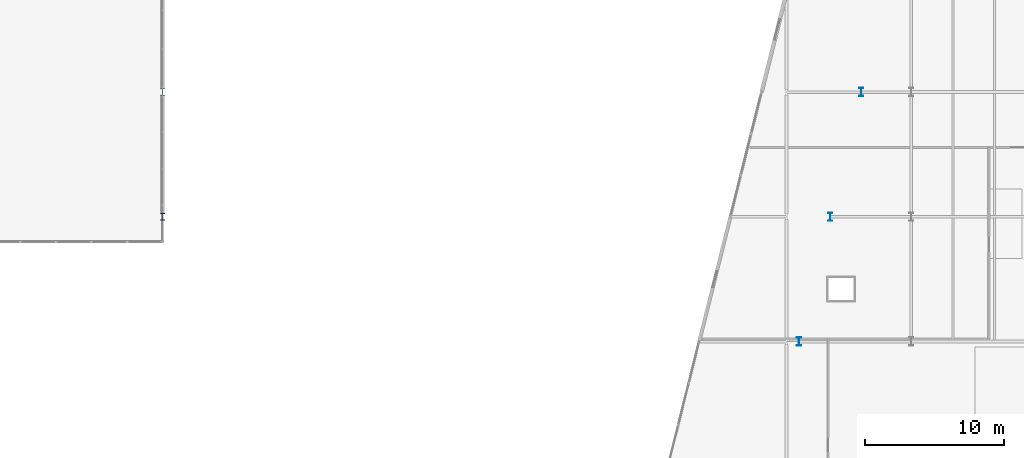
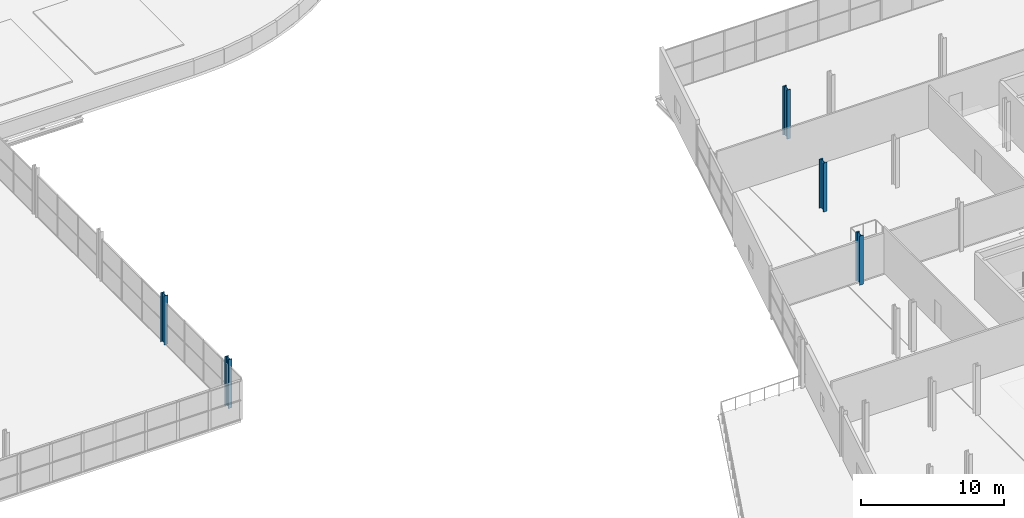
# One storey, part 3 of 59: 5 columns.
"""IFC4 building model written with IfcOpenShell, lengths in metres."""

from ifc_helpers import new_model, si_unit, direction, frame, origin, origin_2d, place, context, subcontext, project, spatial, i_section, extrude, material, material_profile, profile_set, type_object, element, save


model = new_model("IFC4")

# Units and contexts
model_context = context("Model", 3, precision=1e-05, world=origin(), true_north=direction((0.0, 1.0)))
body_context = subcontext(model_context, "Body", "Model", "MODEL_VIEW")
ifc_project = project(units=[si_unit("LENGTHUNIT", "METRE"), si_unit("AREAUNIT", "SQUARE_METRE"), si_unit("VOLUMEUNIT", "CUBIC_METRE"), si_unit("PLANEANGLEUNIT", "RADIAN"), si_unit("MASSUNIT", "GRAM", prefix="KILO")], contexts=[model_context])

# Site, building, storey
site_placement = place(None, origin())
site = spatial("IfcSite", under=ifc_project, at=site_placement, CompositionType="ELEMENT")
building_placement = place(site_placement, origin())
building = spatial("IfcBuilding", under=site, at=building_placement, Name="Deido Ridge Mobility Hub", CompositionType="ELEMENT")
storey_placement = place(building_placement, frame((0.0, 0.0, 21.0)))
storey = spatial("IfcBuildingStorey", under=building, at=storey_placement, Name="L05", CompositionType="ELEMENT", Elevation=21.0)

# Columns
ifc_material = material(Name="Steel S355J2 EN 10025-2", Category="steel")
ifc_material_profile_1 = material_profile(ifc_material, i_section(OverallWidth=0.300048828125, OverallDepth=0.5, WebThickness=0.014404296875, FlangeThickness=0.028076171875, FilletRadius=0.027099609375, at=origin_2d()), Name="HEB 500")
ifc_profile_set_1 = profile_set([ifc_material_profile_1], Name="Steel S355J2 EN 10025-2")
column_type_1 = type_object("IfcColumnType", Name="COL-HEB500", PredefinedType="COLUMN", material=ifc_profile_set_1)
for number, where, z_axis, x_axis, name in (
    (1, (99.0, 45.0, 0.0), (0.0, 0.0, 1.0), (1.0, 0.0, 0.0), "Structural column C5"),
    (2, (99.0, 54.0, 0.0), (0.0, 0.0, 1.0), (1.0, 0.0, 0.0), "Structural column C5"),
):
    element("IfcColumn", number, at=place(storey_placement, frame(where, z_axis=z_axis, x_axis=x_axis)), inside=storey, type_object=column_type_1, Name=name, PredefinedType="COLUMN", context=body_context, shape_type="SweptSolid", body=[
        extrude(i_section(OverallWidth=0.300048828125, OverallDepth=0.5, WebThickness=0.014404296875, FlangeThickness=0.028076171875, FilletRadius=0.027099609375, at=origin_2d()), origin(), (0.0, 0.0, 1.0), 4.199951171875),
    ])
ifc_material_profile_2 = material_profile(ifc_material, i_section(OverallWidth=0.300048828125, OverallDepth=0.60009765625, WebThickness=0.015380859375, FlangeThickness=0.030029296875, FilletRadius=0.027099609375, at=origin_2d()), Name="HEB 600")
ifc_profile_set_2 = profile_set([ifc_material_profile_2], Name="Steel S355J2 EN 10025-2")
column_type_2 = type_object("IfcColumnType", Name="COL-HEB600", PredefinedType="COLUMN", material=ifc_profile_set_2)
for number, where, z_axis, x_axis, name in (
    (3, (144.89990234375, 36.0, 0.0), (0.0, 0.0, 1.0), (1.0, 0.0, 0.0), "Structural column C4"),
    (4, (147.14990234375, 45.0, 0.0), (0.0, 0.0, 1.0), (1.0, 0.0, 0.0), "Structural column C4"),
    (5, (149.39990234375, 54.0, 0.0), (0.0, 0.0, 1.0), (1.0, 0.0, 0.0), "Structural column C4"),
):
    element("IfcColumn", number, at=place(storey_placement, frame(where, z_axis=z_axis, x_axis=x_axis)), inside=storey, type_object=column_type_2, Name=name, PredefinedType="COLUMN", context=body_context, shape_type="SweptSolid", body=[
        extrude(i_section(OverallWidth=0.300048828125, OverallDepth=0.60009765625, WebThickness=0.015380859375, FlangeThickness=0.030029296875, FilletRadius=0.027099609375, at=origin_2d()), origin(), (0.0, 0.0, 1.0), 4.199951171875),
    ])

save(model, "model.ifc")
